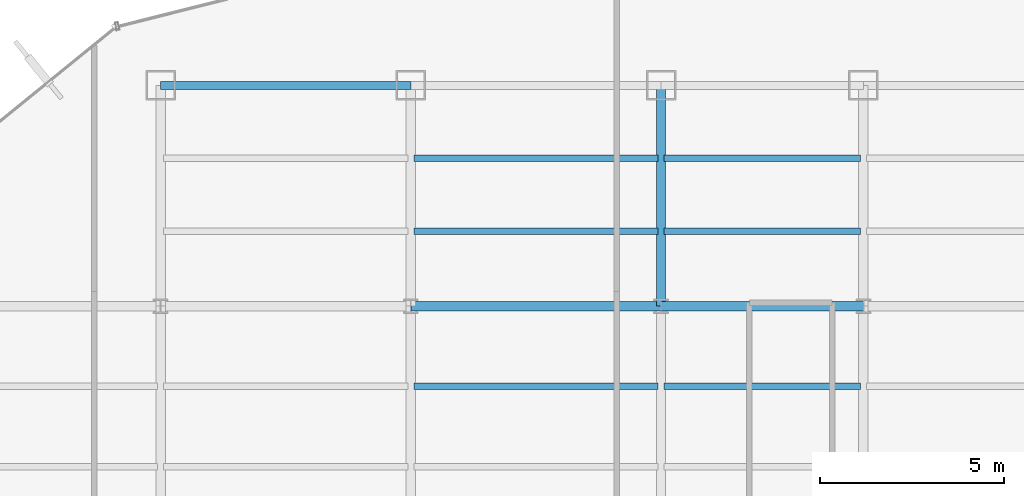
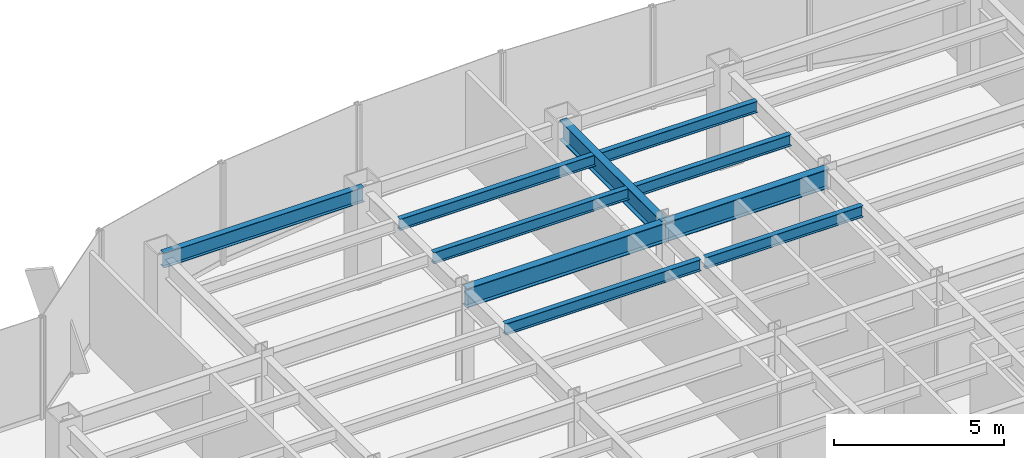
# One storey, part 15 of 26: 10 beams.
"""IFC4 building model written with IfcOpenShell, lengths in metres."""

from ifc_helpers import new_model, si_unit, derived_unit, direction, frame, origin, origin_2d, place, context, subcontext, project, spatial, i_section, extrude, source, transform, mapped, material, material_profile, profile_set, type_object, element, save


model = new_model("IFC4")

# Units and contexts
model_context = context("Model", 3, precision=1e-05, world=origin(), true_north=direction((0.0, 1.0)))
body_context = subcontext(model_context, "Body", "Model", "MODEL_VIEW")
ifc_project = project(units=[si_unit("LENGTHUNIT", "METRE"), si_unit("AREAUNIT", "SQUARE_METRE"), si_unit("VOLUMEUNIT", "CUBIC_METRE"), si_unit("PLANEANGLEUNIT", "RADIAN"), si_unit("MASSUNIT", "GRAM", prefix="KILO"), derived_unit("THERMALTRANSMITTANCEUNIT", [(si_unit("POWERUNIT", "WATT"), 1), (si_unit("LENGTHUNIT", "METRE"), -2), (si_unit("THERMODYNAMICTEMPERATUREUNIT", "KELVIN"), -1)])], contexts=[model_context])

# Site, building, storey
site_placement = place(None, origin())
site = spatial("IfcSite", under=ifc_project, at=site_placement, CompositionType="ELEMENT")
building_placement = place(site_placement, origin())
building = spatial("IfcBuilding", under=site, at=building_placement, Name="Skarnbrae Concourse Arena and Tower", CompositionType="ELEMENT")
storey_placement = place(building_placement, frame((0.0, 0.0, 99.60009765625)))
storey = spatial("IfcBuildingStorey", under=building, at=storey_placement, Name="L24", CompositionType="ELEMENT", Elevation=99.60009765625)

# Beams
ifc_material = material(Name="Steel CSA G40.21 350W", Category="steel")
ifc_material_profile_1 = material_profile(ifc_material, i_section(OverallWidth=0.256103515625, OverallDepth=0.693115234375, WebThickness=0.014404296875, FlangeThickness=0.023681640625, at=origin_2d()), Name="W690X170")
ifc_profile_set_1 = profile_set([ifc_material_profile_1], Name="Steel CSA G40.21 350W")
beam_type_1 = type_object("IfcBeamType", Name="BM-GIRD-W690X170", PredefinedType="BEAM", material=ifc_profile_set_1)
shared_shape_1 = source(origin(), body_context, "Body", "SweptSolid", [
    extrude(i_section(OverallWidth=0.256103515625, OverallDepth=0.693115234375, WebThickness=0.014404296875, FlangeThickness=0.023681640625, at=origin_2d()), origin(), (0.0, 0.0, 1.0), 6.800048828125),
])
beam_1_placement = place(storey_placement, frame((21.199951171875, 34.39990234375, 3.053466796875), z_axis=(1.0, 0.0, 0.0), x_axis=(0.0, 1.0, 0.0)))
element("IfcBeam", 1, at=beam_1_placement, inside=storey, type_object=beam_type_1, Name="L24 Primary E-W girder Y34.4-3", PredefinedType="BEAM", context=body_context, shape_type="MappedRepresentation", body=[
    mapped(shared_shape_1, transform((0.0, 0.0, 0.0))),
])
shared_shape_2 = source(origin(), body_context, "Body", "SweptSolid", [
    extrude(i_section(OverallWidth=0.256103515625, OverallDepth=0.693115234375, WebThickness=0.014404296875, FlangeThickness=0.023681640625, at=origin_2d()), origin(), (0.0, 0.0, 1.0), 5.5),
])
beam_2_placement = place(storey_placement, frame((28.0, 34.39990234375, 3.053466796875), z_axis=(1.0, 0.0, 0.0), x_axis=(0.0, 1.0, 0.0)))
element("IfcBeam", 2, at=beam_2_placement, inside=storey, type_object=beam_type_1, Name="L24 Primary E-W girder Y34.4-4", PredefinedType="BEAM", context=body_context, shape_type="MappedRepresentation", body=[
    mapped(shared_shape_2, transform((0.0, 0.0, 0.0))),
])
ifc_material_profile_2 = material_profile(ifc_material, i_section(OverallWidth=0.208984375, OverallDepth=0.532958984375, WebThickness=0.01025390625, FlangeThickness=0.015625, at=origin_2d()), Name="W530X92")
ifc_profile_set_2 = profile_set([ifc_material_profile_2], Name="Steel CSA G40.21 350W")
beam_type_2 = type_object("IfcBeamType", Name="BM-SPAN-W530X92", PredefinedType="SPANDREL", material=ifc_profile_set_2)
shared_shape_3 = source(origin(), body_context, "Body", "SweptSolid", [
    extrude(i_section(OverallWidth=0.208984375, OverallDepth=0.532958984375, WebThickness=0.01025390625, FlangeThickness=0.015625, at=origin_2d()), origin(), (0.0, 0.0, 1.0), 6.800048828125),
])
beam_3_placement = place(storey_placement, frame((14.39990234375, 40.39990234375, 3.13330078125), z_axis=(1.0, 0.0, 0.0), x_axis=(0.0, 1.0, 0.0)))
element("IfcBeam", 3, at=beam_3_placement, inside=storey, type_object=beam_type_2, Name="L24 Perimeter spandrel Y40.4-1", PredefinedType="SPANDREL", context=body_context, shape_type="MappedRepresentation", body=[
    mapped(shared_shape_3, transform((0.0, 0.0, 0.0))),
])
shared_shape_4 = source(origin(), body_context, "Body", "SweptSolid", [
    extrude(i_section(OverallWidth=0.256103515625, OverallDepth=0.693115234375, WebThickness=0.014404296875, FlangeThickness=0.023681640625, at=origin_2d()), origin(), (0.0, 0.0, 1.0), 6.0),
])
beam_4_placement = place(storey_placement, frame((28.0, 34.39990234375, 3.053466796875), z_axis=(0.0, 1.0, 0.0), x_axis=(-1.0, 0.0, 0.0)))
element("IfcBeam", 4, at=beam_4_placement, inside=storey, type_object=beam_type_1, Name="L24 Primary N-S girder X28.0-4", PredefinedType="BEAM", context=body_context, shape_type="MappedRepresentation", body=[
    mapped(shared_shape_4, transform((0.0, 0.0, 0.0))),
])
ifc_material_profile_3 = material_profile(ifc_material, i_section(OverallWidth=0.177978515625, OverallDepth=0.406982421875, WebThickness=0.0078125, FlangeThickness=0.0126953125, at=origin_2d()), Name="W410X60")
ifc_profile_set_3 = profile_set([ifc_material_profile_3], Name="Steel CSA G40.21 350W")
beam_type_3 = type_object("IfcBeamType", Name="BM-JOIST-W410X60", PredefinedType="JOIST", material=ifc_profile_set_3)
shared_shape_5 = source(origin(), body_context, "Body", "SweptSolid", [
    extrude(i_section(OverallWidth=0.177978515625, OverallDepth=0.406982421875, WebThickness=0.0078125, FlangeThickness=0.0126953125, at=origin_2d()), origin(), (0.0, 0.0, 1.0), 6.639892578125),
])
for number, where, z_axis, x_axis, name in (
    (5, (21.280029296875, 32.221923828125, 3.1962890625), (1.0, 0.0, 0.0), (0.0, 1.0, 0.0), "L24 Secondary floor joist 3.2.3"),
    (6, (21.280029296875, 36.43994140625, 3.1962890625), (1.0, 0.0, 0.0), (0.0, 1.0, 0.0), "L24 Secondary floor joist 4.1.2"),
    (7, (21.280029296875, 38.419921875, 3.1962890625), (1.0, 0.0, 0.0), (0.0, 1.0, 0.0), "L24 Secondary floor joist 4.2.2"),
):
    element("IfcBeam", number, at=place(storey_placement, frame(where, z_axis=z_axis, x_axis=x_axis)), inside=storey, type_object=beam_type_3, Name=name, PredefinedType="JOIST", context=body_context, shape_type="MappedRepresentation", body=[
        mapped(shared_shape_5, transform((0.0, 0.0, 0.0))),
    ])
shared_shape_6 = source(origin(), body_context, "Body", "SweptSolid", [
    extrude(i_section(OverallWidth=0.177978515625, OverallDepth=0.406982421875, WebThickness=0.0078125, FlangeThickness=0.0126953125, at=origin_2d()), origin(), (0.0, 0.0, 1.0), 5.33984375),
])
for number, where, z_axis, x_axis, name in (
    (8, (28.080078125, 32.221923828125, 3.1962890625), (1.0, 0.0, 0.0), (0.0, 1.0, 0.0), "L24 Secondary floor joist 3.2.4"),
    (9, (28.080078125, 36.43994140625, 3.1962890625), (1.0, 0.0, 0.0), (0.0, 1.0, 0.0), "L24 Secondary floor joist 4.1.3"),
    (10, (28.080078125, 38.419921875, 3.1962890625), (1.0, 0.0, 0.0), (0.0, 1.0, 0.0), "L24 Secondary floor joist 4.2.3"),
):
    element("IfcBeam", number, at=place(storey_placement, frame(where, z_axis=z_axis, x_axis=x_axis)), inside=storey, type_object=beam_type_3, Name=name, PredefinedType="JOIST", context=body_context, shape_type="MappedRepresentation", body=[
        mapped(shared_shape_6, transform((0.0, 0.0, 0.0))),
    ])

save(model, "model.ifc")
